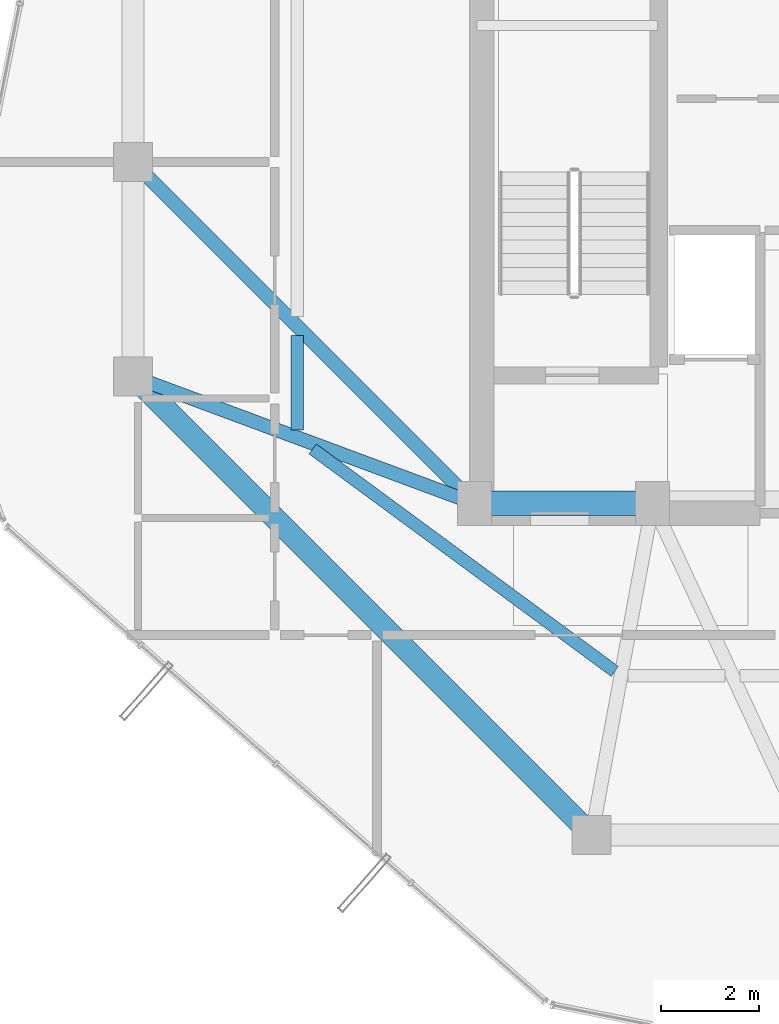
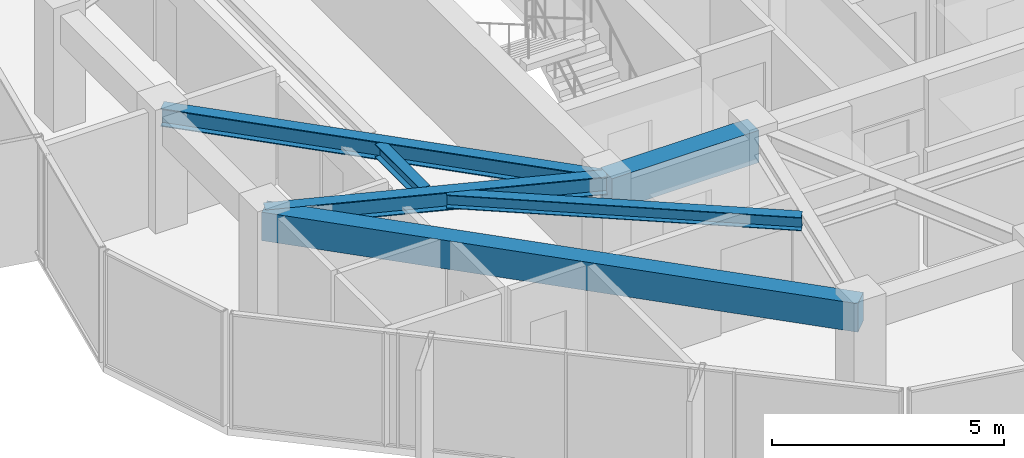
# One storey, part 6 of 28: 6 beams.
"""IFC4 building model written with IfcOpenShell, lengths in metres."""

from ifc_helpers import new_model, si_unit, direction, frame, origin, origin_2d, place, context, subcontext, project, spatial, rectangle, i_section, extrude, material, material_profile, profile_set, type_object, element, save


model = new_model("IFC4")

# Units and contexts
model_context = context("Model", 3, precision=1e-05, world=origin(), true_north=direction((0.0, 1.0)))
body_context = subcontext(model_context, "Body", "Model", "MODEL_VIEW")
ifc_project = project(units=[si_unit("LENGTHUNIT", "METRE"), si_unit("AREAUNIT", "SQUARE_METRE"), si_unit("VOLUMEUNIT", "CUBIC_METRE"), si_unit("PLANEANGLEUNIT", "RADIAN"), si_unit("MASSUNIT", "GRAM", prefix="KILO")], contexts=[model_context])

# Site, building, storey
site_placement = place(None, origin())
site = spatial("IfcSite", under=ifc_project, at=site_placement, CompositionType="ELEMENT")
building_placement = place(site_placement, origin())
building = spatial("IfcBuilding", under=site, at=building_placement, Name="Veraguas Prism Commons", CompositionType="ELEMENT")
storey_placement = place(building_placement, frame((0.0, 0.0, 248.0)))
storey = spatial("IfcBuildingStorey", under=building, at=storey_placement, Name="L70", CompositionType="ELEMENT", Elevation=248.0)

# Beams
ifc_material_1 = material(Name="Concrete C50/60", Category="concrete")
ifc_material_profile_1 = material_profile(ifc_material_1, rectangle(XDim=0.5, YDim=0.85009765625, at=origin_2d()), Name="RC500X850")
ifc_profile_set_1 = profile_set([ifc_material_profile_1], Name="Concrete C50/60")
beam_type_1 = type_object("IfcBeamType", Name="Core Coupling Beam RC 500x850", PredefinedType="BEAM", material=ifc_profile_set_1)
beam_1_placement = place(storey_placement, frame((17.199951171875, 17.0, 2.590087890625), z_axis=(1.0, 0.0, 0.0), x_axis=(0.0, 1.0, 0.0)))
element("IfcBeam", 1, at=beam_1_placement, inside=storey, type_object=beam_type_1, Name="Core Coupling Beam L70-CRS1", PredefinedType="BEAM", context=body_context, shape_type="SweptSolid", body=[
    extrude(rectangle(XDim=0.5, YDim=0.85009765625, at=origin_2d()), origin(), (0.0, 0.0, 1.0), 3.650146484375),
])
ifc_material_profile_2 = material_profile(ifc_material_1, rectangle(XDim=0.449951171875, YDim=0.75, at=origin_2d()), Name="RC450X750")
ifc_profile_set_2 = profile_set([ifc_material_profile_2], Name="Concrete C50/60")
beam_type_2 = type_object("IfcBeamType", Name="Perimeter Spandrel Upper RC 450x750", PredefinedType="SPANDREL", material=ifc_profile_set_2)
beam_2_placement = place(storey_placement, frame((10.199951171875, 19.60009765625, 2.639892578125), z_axis=(0.707106781187, -0.707106781187, 0.0), x_axis=(0.707106781187, 0.707106781187, 0.0)))
element("IfcBeam", 2, at=beam_2_placement, inside=storey, type_object=beam_type_2, Name="Perimeter Spandrel Beam L70-SP09", PredefinedType="SPANDREL", context=body_context, shape_type="SweptSolid", body=[
    extrude(rectangle(XDim=0.449951171875, YDim=0.75, at=origin_2d()), origin(), (0.0, 0.0, 1.0), 13.293701171875),
])
ifc_material_2 = material(Name="Steel ASTM A992 Grade 50", Category="steel")
ifc_material_profile_3 = material_profile(ifc_material_2, i_section(OverallWidth=0.25390625, OverallDepth=0.35302734375, WebThickness=0.009521484375, FlangeThickness=0.016357421875, at=origin_2d()), Name="W360X91")
ifc_profile_set_3 = profile_set([ifc_material_profile_3], Name="Steel ASTM A992 Grade 50")
beam_type_3 = type_object("IfcBeamType", Name="Upper Floor Joist W360x91", PredefinedType="JOIST", material=ifc_profile_set_3)
beam_3_placement = place(storey_placement, frame((13.56005859375, 20.442626953125, 2.83837890625), z_axis=(0.0, -1.0, 0.0), x_axis=(1.0, 0.0, 0.0)))
element("IfcBeam", 3, at=beam_3_placement, inside=storey, type_object=beam_type_3, Name="Composite Floor Joist L70-JS08", PredefinedType="JOIST", context=body_context, shape_type="SweptSolid", body=[
    extrude(i_section(OverallWidth=0.25390625, OverallDepth=0.35302734375, WebThickness=0.009521484375, FlangeThickness=0.016357421875, at=origin_2d()), origin(), (0.0, 0.0, 1.0), 1.94189453125),
])
beam_4_placement = place(storey_placement, frame((13.881103515625, 18.11572265625, 2.83837890625), z_axis=(0.805319835229, -0.592840588174, 0.0), x_axis=(0.592840588174, 0.805319835229, 0.0)))
element("IfcBeam", 4, at=beam_4_placement, inside=storey, type_object=beam_type_3, Name="Composite Floor Joist L70-JS09", PredefinedType="JOIST", context=body_context, shape_type="SweptSolid", body=[
    extrude(i_section(OverallWidth=0.25390625, OverallDepth=0.35302734375, WebThickness=0.009521484375, FlangeThickness=0.016357421875, at=origin_2d()), origin(), (0.0, 0.0, 1.0), 7.69140625),
])
ifc_material_profile_4 = material_profile(ifc_material_2, i_section(OverallWidth=0.282958984375, OverallDepth=0.471923828125, WebThickness=0.013671875, FlangeThickness=0.022216796875, at=origin_2d()), Name="W460X144")
ifc_profile_set_4 = profile_set([ifc_material_profile_4], Name="Steel ASTM A992 Grade 50")
beam_type_4 = type_object("IfcBeamType", Name="Zone 4 Radial Girder W460x144", PredefinedType="BEAM", material=ifc_profile_set_4)
beam_5_placement = place(storey_placement, frame((10.199951171875, 24.0, 2.779052734375), z_axis=(0.707106781187, -0.707106781187, 0.0), x_axis=(0.707106781187, 0.707106781187, 0.0)))
element("IfcBeam", 5, at=beam_5_placement, inside=storey, type_object=beam_type_4, Name="Radial Floor Girder L70-RD08", PredefinedType="BEAM", context=body_context, shape_type="SweptSolid", body=[
    extrude(i_section(OverallWidth=0.282958984375, OverallDepth=0.471923828125, WebThickness=0.013671875, FlangeThickness=0.022216796875, at=origin_2d()), origin(), (0.0, 0.0, 1.0), 9.8994140625),
])
beam_6_placement = place(storey_placement, frame((10.199951171875, 19.60009765625, 2.779052734375), z_axis=(0.937421003341, -0.348198021958, 0.0), x_axis=(0.348198021958, 0.937421003341, 0.0)))
element("IfcBeam", 6, at=beam_6_placement, inside=storey, type_object=beam_type_4, Name="Radial Floor Girder L70-RD09", PredefinedType="BEAM", context=body_context, shape_type="SweptSolid", body=[
    extrude(i_section(OverallWidth=0.282958984375, OverallDepth=0.471923828125, WebThickness=0.013671875, FlangeThickness=0.022216796875, at=origin_2d()), origin(), (0.0, 0.0, 1.0), 7.46728515625),
])

save(model, "model.ifc")
